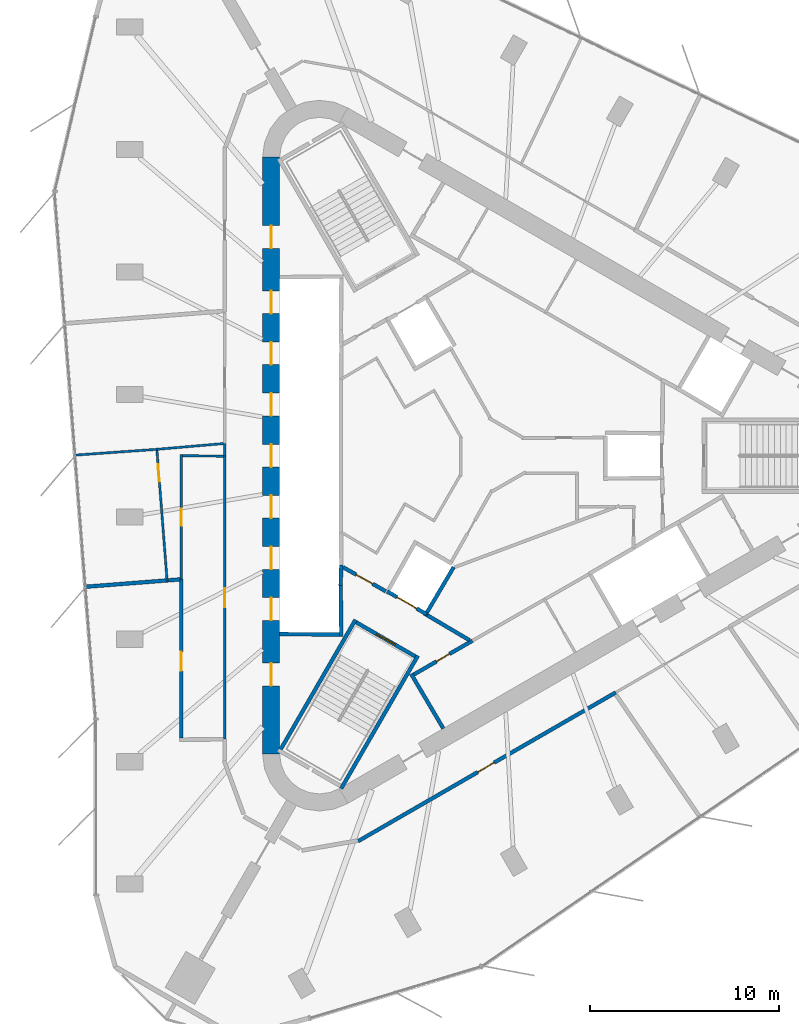
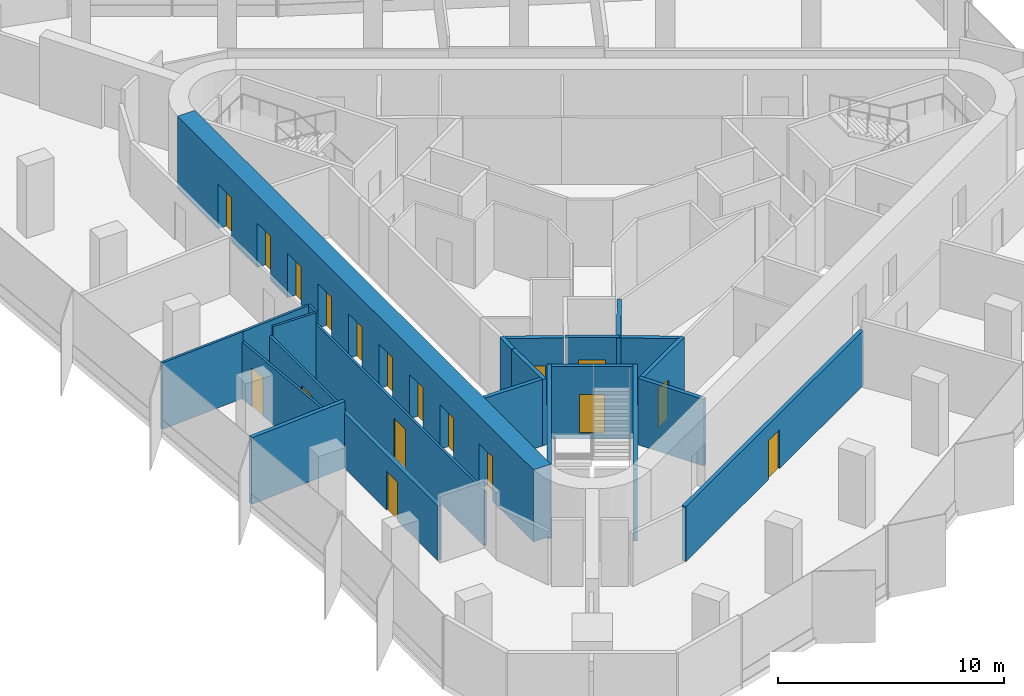
# One storey, part 7 of 12: 23 walls, 18 doors, 18 openings.
"""IFC4 building model written with IfcOpenShell, lengths in metres."""

from ifc_helpers import new_model, si_unit, direction, frame, frame_2d, origin, place, context, subcontext, project, spatial, rectangle, extrude, material, layer, layer_set, type_object, element, fill, save


model = new_model("IFC4")

# Units and contexts
model_context = context("Model", 3, precision=1e-05, world=origin(), true_north=direction((0.0, 1.0)))
body_context = subcontext(model_context, "Body", "Model", "MODEL_VIEW")
ifc_project = project(units=[si_unit("LENGTHUNIT", "METRE"), si_unit("AREAUNIT", "SQUARE_METRE"), si_unit("VOLUMEUNIT", "CUBIC_METRE"), si_unit("PLANEANGLEUNIT", "RADIAN"), si_unit("MASSUNIT", "GRAM", prefix="KILO")], contexts=[model_context])

# Site, building, storey
site_placement = place(None, origin())
site = spatial("IfcSite", under=ifc_project, at=site_placement, CompositionType="ELEMENT")
building_placement = place(site_placement, origin())
building = spatial("IfcBuilding", under=site, at=building_placement, Name="Tanit Gate Tower", CompositionType="ELEMENT")
storey_placement = place(building_placement, frame((0.0, 0.0, 376.699951171875)))
storey = spatial("IfcBuildingStorey", under=building, at=storey_placement, Name="L86", CompositionType="ELEMENT", Elevation=376.699951171875)

# Wall, openings, doors
ifc_material_1 = material(Name="Concrete C40/50", Category="concrete")
ifc_layer_1 = layer(ifc_material_1, 0.89990234375)
ifc_layer_set_1 = layer_set([ifc_layer_1], Name="CORE WALL 900 C40/50")
wall_type_1 = type_object("IfcWallType", Name="CORE WALL 900 C40/50", PredefinedType="SHEAR", material=ifc_layer_set_1)
wall_1_placement = place(storey_placement, frame((-11.64990234375, 15.76171875, 0.0), z_axis=(0.0, 0.0, 1.0), x_axis=(0.0, -1.0, 0.0)))
wall_1 = element("IfcWall", 1, at=wall_1_placement, inside=storey, type_object=wall_type_1, Name="CORE WALL", PredefinedType="SHEAR", context=body_context, shape_type="SweptSolid", body=[
    extrude(rectangle(XDim=31.5234375, YDim=0.89990234375, at=frame_2d((15.76171875, 0.0))), origin(), (0.0, 0.0, 1.0), 3.900146484375),
])
opening_1_placement = place(wall_1_placement, frame((7.061767578125, 0.0, 0.0)))
opening_1 = element("IfcOpeningElement", 2, at=opening_1_placement, cuts=wall_1, Name="Opening LDHL1-86", PredefinedType="OPENING", context=body_context, shape_type="SweptSolid", body=[
    extrude(rectangle(XDim=1.199951171875, YDim=2.39990234375, at=frame_2d((0.60009765625, 1.199951171875))), frame((0.0, 0.4599609375, 0.0), z_axis=(0.0, -1.0, 0.0), x_axis=(1.0, 0.0, 0.0)), (0.0, 0.0, 1.0), 0.919921875),
])
opening_2_placement = place(wall_1_placement, frame((9.76171875, 0.0, 0.0)))
opening_2 = element("IfcOpeningElement", 3, at=opening_2_placement, cuts=wall_1, Name="Opening LDHL2-86", PredefinedType="OPENING", context=body_context, shape_type="SweptSolid", body=[
    extrude(rectangle(XDim=1.199951171875, YDim=2.39990234375, at=frame_2d((0.60009765625, 1.199951171875))), frame((0.0, 0.4599609375, 0.0), z_axis=(0.0, -1.0, 0.0), x_axis=(1.0, 0.0, 0.0)), (0.0, 0.0, 1.0), 0.919921875),
])
opening_3_placement = place(wall_1_placement, frame((12.461669921875, 0.0, 0.0)))
opening_3 = element("IfcOpeningElement", 4, at=opening_3_placement, cuts=wall_1, Name="Opening LDHL3-86", PredefinedType="OPENING", context=body_context, shape_type="SweptSolid", body=[
    extrude(rectangle(XDim=1.199951171875, YDim=2.39990234375, at=frame_2d((0.60009765625, 1.199951171875))), frame((0.0, 0.4599609375, 0.0), z_axis=(0.0, -1.0, 0.0), x_axis=(1.0, 0.0, 0.0)), (0.0, 0.0, 1.0), 0.919921875),
])
opening_4_placement = place(wall_1_placement, frame((15.16162109375, 0.0, 0.0)))
opening_4 = element("IfcOpeningElement", 5, at=opening_4_placement, cuts=wall_1, Name="Opening LDHL4-86", PredefinedType="OPENING", context=body_context, shape_type="SweptSolid", body=[
    extrude(rectangle(XDim=1.199951171875, YDim=2.39990234375, at=frame_2d((0.60009765625, 1.199951171875))), frame((0.0, 0.4599609375, 0.0), z_axis=(0.0, -1.0, 0.0), x_axis=(1.0, 0.0, 0.0)), (0.0, 0.0, 1.0), 0.919921875),
])
opening_5_placement = place(wall_1_placement, frame((17.86181640625, 0.0, 0.0)))
opening_5 = element("IfcOpeningElement", 6, at=opening_5_placement, cuts=wall_1, Name="Opening LDHL5-86", PredefinedType="OPENING", context=body_context, shape_type="SweptSolid", body=[
    extrude(rectangle(XDim=1.199951171875, YDim=2.39990234375, at=frame_2d((0.60009765625, 1.199951171875))), frame((0.0, 0.4599609375, 0.0), z_axis=(0.0, -1.0, 0.0), x_axis=(1.0, 0.0, 0.0)), (0.0, 0.0, 1.0), 0.919921875),
])
opening_6_placement = place(wall_1_placement, frame((20.561767578125, 0.0, 0.0)))
opening_6 = element("IfcOpeningElement", 7, at=opening_6_placement, cuts=wall_1, Name="Opening LDHL6-86", PredefinedType="OPENING", context=body_context, shape_type="SweptSolid", body=[
    extrude(rectangle(XDim=1.199951171875, YDim=2.39990234375, at=frame_2d((0.60009765625, 1.199951171875))), frame((0.0, 0.4599609375, 0.0), z_axis=(0.0, -1.0, 0.0), x_axis=(1.0, 0.0, 0.0)), (0.0, 0.0, 1.0), 0.919921875),
])
opening_7_placement = place(wall_1_placement, frame((23.26171875, 0.0, 0.0)))
opening_7 = element("IfcOpeningElement", 8, at=opening_7_placement, cuts=wall_1, Name="Opening LDHL7-86", PredefinedType="OPENING", context=body_context, shape_type="SweptSolid", body=[
    extrude(rectangle(XDim=1.199951171875, YDim=2.39990234375, at=frame_2d((0.60009765625, 1.199951171875))), frame((0.0, 0.4599609375, 0.0), z_axis=(0.0, -1.0, 0.0), x_axis=(1.0, 0.0, 0.0)), (0.0, 0.0, 1.0), 0.919921875),
])
opening_8_placement = place(wall_1_placement, frame((3.61181640625, 0.0, 0.0)))
opening_8 = element("IfcOpeningElement", 9, at=opening_8_placement, cuts=wall_1, Name="Opening F12-86-FL2", PredefinedType="OPENING", context=body_context, shape_type="SweptSolid", body=[
    extrude(rectangle(XDim=1.199951171875, YDim=2.39990234375, at=frame_2d((0.60009765625, 1.199951171875))), frame((0.0, 0.4599609375, 0.0), z_axis=(0.0, -1.0, 0.0), x_axis=(1.0, 0.0, 0.0)), (0.0, 0.0, 1.0), 0.919921875),
])
opening_9_placement = place(wall_1_placement, frame((26.711669921875, 0.0, 0.0)))
opening_9 = element("IfcOpeningElement", 10, at=opening_9_placement, cuts=wall_1, Name="Opening F12-86-S3", PredefinedType="OPENING", context=body_context, shape_type="SweptSolid", body=[
    extrude(rectangle(XDim=1.199951171875, YDim=2.39990234375, at=frame_2d((0.60009765625, 1.199951171875))), frame((0.0, 0.4599609375, 0.0), z_axis=(0.0, -1.0, 0.0), x_axis=(1.0, 0.0, 0.0)), (0.0, 0.0, 1.0), 0.919921875),
])
ifc_material_2 = material(Name="Fire-rated steel door leaf", Category="steel")
door_type_1 = type_object("IfcDoorType", Name="INT-DOOR-FIRE-LOBBY-1200", OperationType="NOTDEFINED", PredefinedType="USERDEFINED", material=ifc_material_2)
door_1_placement = place(opening_8_placement, origin())
door_1 = element("IfcDoor", 11, at=door_1_placement, inside=storey, type_object=door_type_1, Name="Door F12-86-FL2", ObjectType="FIRE DOOR", OperationType="SINGLE_SWING_RIGHT", OverallHeight=2.39990234375, OverallWidth=1.199951171875, PredefinedType="USERDEFINED", context=body_context, shape_type="SweptSolid", body=[
    extrude(rectangle(XDim=1.199951171875, YDim=2.39990234375, at=frame_2d((0.60009765625, 1.199951171875))), frame((0.0, 0.02490234375, 0.0), z_axis=(0.0, -1.0, 0.0), x_axis=(1.0, 0.0, 0.0)), (0.0, 0.0, 1.0), 0.050048828125),
])
fill(opening_8, door_1)
door_2_placement = place(opening_9_placement, origin())
door_2 = element("IfcDoor", 12, at=door_2_placement, inside=storey, type_object=door_type_1, Name="Door F12-86-S3", ObjectType="FIRE DOOR", OperationType="SINGLE_SWING_LEFT", OverallHeight=2.39990234375, OverallWidth=1.199951171875, PredefinedType="USERDEFINED", context=body_context, shape_type="SweptSolid", body=[
    extrude(rectangle(XDim=1.199951171875, YDim=2.39990234375, at=frame_2d((0.60009765625, 1.199951171875))), frame((0.0, 0.02490234375, 0.0), z_axis=(0.0, -1.0, 0.0), x_axis=(1.0, 0.0, 0.0)), (0.0, 0.0, 1.0), 0.050048828125),
])
fill(opening_9, door_2)
ifc_material_3 = material(Name="Stainless steel sliding door leaf", Category="steel")
door_type_2 = type_object("IfcDoorType", Name="INT-DOOR-LANDING-1200", OperationType="NOTDEFINED", PredefinedType="USERDEFINED", material=ifc_material_3)
door_3_placement = place(opening_1_placement, origin())
door_3 = element("IfcDoor", 13, at=door_3_placement, inside=storey, type_object=door_type_2, Name="Door LDHL1-86", ObjectType="LANDING DOOR", OperationType="SLIDING_TO_LEFT", OverallHeight=2.39990234375, OverallWidth=1.199951171875, PredefinedType="USERDEFINED", context=body_context, shape_type="SweptSolid", body=[
    extrude(rectangle(XDim=1.199951171875, YDim=2.39990234375, at=frame_2d((0.60009765625, 1.199951171875))), frame((0.0, 0.02490234375, 0.0), z_axis=(0.0, -1.0, 0.0), x_axis=(1.0, 0.0, 0.0)), (0.0, 0.0, 1.0), 0.050048828125),
])
fill(opening_1, door_3)
door_4_placement = place(opening_2_placement, origin())
door_4 = element("IfcDoor", 14, at=door_4_placement, inside=storey, type_object=door_type_2, Name="Door LDHL2-86", ObjectType="LANDING DOOR", OperationType="SLIDING_TO_LEFT", OverallHeight=2.39990234375, OverallWidth=1.199951171875, PredefinedType="USERDEFINED", context=body_context, shape_type="SweptSolid", body=[
    extrude(rectangle(XDim=1.199951171875, YDim=2.39990234375, at=frame_2d((0.60009765625, 1.199951171875))), frame((0.0, 0.02490234375, 0.0), z_axis=(0.0, -1.0, 0.0), x_axis=(1.0, 0.0, 0.0)), (0.0, 0.0, 1.0), 0.050048828125),
])
fill(opening_2, door_4)
door_5_placement = place(opening_3_placement, origin())
door_5 = element("IfcDoor", 15, at=door_5_placement, inside=storey, type_object=door_type_2, Name="Door LDHL3-86", ObjectType="LANDING DOOR", OperationType="SLIDING_TO_LEFT", OverallHeight=2.39990234375, OverallWidth=1.199951171875, PredefinedType="USERDEFINED", context=body_context, shape_type="SweptSolid", body=[
    extrude(rectangle(XDim=1.199951171875, YDim=2.39990234375, at=frame_2d((0.60009765625, 1.199951171875))), frame((0.0, 0.02490234375, 0.0), z_axis=(0.0, -1.0, 0.0), x_axis=(1.0, 0.0, 0.0)), (0.0, 0.0, 1.0), 0.050048828125),
])
fill(opening_3, door_5)
door_6_placement = place(opening_4_placement, origin())
door_6 = element("IfcDoor", 16, at=door_6_placement, inside=storey, type_object=door_type_2, Name="Door LDHL4-86", ObjectType="LANDING DOOR", OperationType="SLIDING_TO_LEFT", OverallHeight=2.39990234375, OverallWidth=1.199951171875, PredefinedType="USERDEFINED", context=body_context, shape_type="SweptSolid", body=[
    extrude(rectangle(XDim=1.199951171875, YDim=2.39990234375, at=frame_2d((0.60009765625, 1.199951171875))), frame((0.0, 0.02490234375, 0.0), z_axis=(0.0, -1.0, 0.0), x_axis=(1.0, 0.0, 0.0)), (0.0, 0.0, 1.0), 0.050048828125),
])
fill(opening_4, door_6)
door_7_placement = place(opening_5_placement, origin())
door_7 = element("IfcDoor", 17, at=door_7_placement, inside=storey, type_object=door_type_2, Name="Door LDHL5-86", ObjectType="LANDING DOOR", OperationType="SLIDING_TO_LEFT", OverallHeight=2.39990234375, OverallWidth=1.199951171875, PredefinedType="USERDEFINED", context=body_context, shape_type="SweptSolid", body=[
    extrude(rectangle(XDim=1.199951171875, YDim=2.39990234375, at=frame_2d((0.60009765625, 1.199951171875))), frame((0.0, 0.02490234375, 0.0), z_axis=(0.0, -1.0, 0.0), x_axis=(1.0, 0.0, 0.0)), (0.0, 0.0, 1.0), 0.050048828125),
])
fill(opening_5, door_7)
door_8_placement = place(opening_6_placement, origin())
door_8 = element("IfcDoor", 18, at=door_8_placement, inside=storey, type_object=door_type_2, Name="Door LDHL6-86", ObjectType="LANDING DOOR", OperationType="SLIDING_TO_LEFT", OverallHeight=2.39990234375, OverallWidth=1.199951171875, PredefinedType="USERDEFINED", context=body_context, shape_type="SweptSolid", body=[
    extrude(rectangle(XDim=1.199951171875, YDim=2.39990234375, at=frame_2d((0.60009765625, 1.199951171875))), frame((0.0, 0.02490234375, 0.0), z_axis=(0.0, -1.0, 0.0), x_axis=(1.0, 0.0, 0.0)), (0.0, 0.0, 1.0), 0.050048828125),
])
fill(opening_6, door_8)
door_9_placement = place(opening_7_placement, origin())
door_9 = element("IfcDoor", 19, at=door_9_placement, inside=storey, type_object=door_type_2, Name="Door LDHL7-86", ObjectType="LANDING DOOR", OperationType="SLIDING_TO_LEFT", OverallHeight=2.39990234375, OverallWidth=1.199951171875, PredefinedType="USERDEFINED", context=body_context, shape_type="SweptSolid", body=[
    extrude(rectangle(XDim=1.199951171875, YDim=2.39990234375, at=frame_2d((0.60009765625, 1.199951171875))), frame((0.0, 0.02490234375, 0.0), z_axis=(0.0, -1.0, 0.0), x_axis=(1.0, 0.0, 0.0)), (0.0, 0.0, 1.0), 0.050048828125),
])
fill(opening_7, door_9)

# Wall
ifc_material_4 = material(Name="Fire-rated gypsum board partition")
ifc_layer_2 = layer(ifc_material_4, 0.199951171875)
ifc_layer_set_2 = layer_set([ifc_layer_2], Name="INT-WALL-COMPARTMENT")
wall_type_2 = type_object("IfcWallType", Name="INT-WALL-COMPARTMENT", PredefinedType="PARTITIONING", material=ifc_layer_set_2)
wall_2_placement = place(storey_placement, frame((-4.259765625, -11.523681640625, 0.0), z_axis=(0.0, 0.0, 1.0), x_axis=(0.507997497166, -0.861358544901, 0.0)))
element("IfcWall", 20, at=wall_2_placement, inside=storey, type_object=wall_type_2, Name="Wall Compartment W056", PredefinedType="PARTITIONING", context=body_context, shape_type="SweptSolid", body=[
    extrude(rectangle(XDim=3.350341796875, YDim=0.199951171875, at=frame_2d((1.67529296875, 0.0))), origin(), (0.0, 0.0, 1.0), 3.60009765625),
])

# Wall, opening, door
wall_3_placement = place(storey_placement, frame((-1.02392578125, -9.77099609375, 0.0), z_axis=(0.0, 0.0, 1.0), x_axis=(-0.866029903013, -0.499992207027, 0.0)))
wall_3 = element("IfcWall", 21, at=wall_3_placement, inside=storey, type_object=wall_type_2, Name="Wall Compartment W057", PredefinedType="PARTITIONING", context=body_context, shape_type="SweptSolid", body=[
    extrude(rectangle(XDim=3.57763671875, YDim=0.199951171875, at=frame_2d((1.788818359375, 0.0))), origin(), (0.0, 0.0, 1.0), 3.60009765625),
])
opening_10_placement = place(wall_3_placement, frame((1.388916015625, 0.0, 0.0)))
opening_10 = element("IfcOpeningElement", 22, at=opening_10_placement, cuts=wall_3, Name="Opening R08-86-17", PredefinedType="OPENING", context=body_context, shape_type="SweptSolid", body=[
    extrude(rectangle(XDim=0.800048828125, YDim=2.10009765625, at=frame_2d((0.39990234375, 1.050048828125))), frame((0.0, 0.10986328125, 0.0), z_axis=(0.0, -1.0, 0.0), x_axis=(1.0, 0.0, 0.0)), (0.0, 0.0, 1.0), 0.219970703125),
])
ifc_material_5 = material(Name="Timber door leaf", Category="wood")
door_type_3 = type_object("IfcDoorType", Name="INT-DOOR-RISER-800", OperationType="NOTDEFINED", PredefinedType="USERDEFINED", material=ifc_material_5)
door_10_placement = place(opening_10_placement, origin())
door_10 = element("IfcDoor", 23, at=door_10_placement, inside=storey, type_object=door_type_3, Name="Door R08-86-17", ObjectType="FIRE DOOR", OperationType="SINGLE_SWING_LEFT", OverallHeight=2.10009765625, OverallWidth=0.800048828125, PredefinedType="USERDEFINED", context=body_context, shape_type="SweptSolid", body=[
    extrude(rectangle(XDim=0.800048828125, YDim=2.10009765625, at=frame_2d((0.39990234375, 1.050048828125))), frame((0.0, 0.02490234375, 0.0), z_axis=(0.0, -1.0, 0.0), x_axis=(1.0, 0.0, 0.0)), (0.0, 0.0, 1.0), 0.050048828125),
])
fill(opening_10, door_10)

# Wall
wall_4_placement = place(storey_placement, frame((-3.400634765625, -8.43017578125, 0.0), z_axis=(0.0, 0.0, 1.0), x_axis=(0.860630814782, -0.509229418482, 0.0)))
element("IfcWall", 24, at=wall_4_placement, inside=storey, type_object=wall_type_2, Name="Wall Compartment W066", PredefinedType="PARTITIONING", context=body_context, shape_type="SweptSolid", body=[
    extrude(rectangle(XDim=2.581787109375, YDim=0.199951171875, at=frame_2d((1.291015625, 0.0))), origin(), (0.0, 0.0, 1.0), 3.60009765625),
])

# Wall, opening, door
wall_5_placement = place(storey_placement, frame((-7.849365234375, -5.893798828125, 0.0), z_axis=(0.0, 0.0, 1.0), x_axis=(0.871363259478, -0.490638431059, 0.0)))
wall_5 = element("IfcWall", 25, at=wall_5_placement, inside=storey, type_object=wall_type_2, Name="Wall Compartment W067", PredefinedType="PARTITIONING", context=body_context, shape_type="SweptSolid", body=[
    extrude(rectangle(XDim=2.5810546875, YDim=0.199951171875, at=frame_2d((1.29052734375, 0.0))), origin(), (0.0, 0.0, 1.0), 3.60009765625),
])
opening_11_placement = place(wall_5_placement, frame((0.79052734375, 0.0, 0.0)))
opening_11 = element("IfcOpeningElement", 26, at=opening_11_placement, cuts=wall_5, Name="Opening F10-86-08", PredefinedType="OPENING", context=body_context, shape_type="SweptSolid", body=[
    extrude(rectangle(XDim=1.0, YDim=2.10009765625, at=frame_2d((0.5, 1.050048828125))), frame((0.0, 0.10986328125, 0.0), z_axis=(0.0, -1.0, 0.0), x_axis=(1.0, 0.0, 0.0)), (0.0, 0.0, 1.0), 0.219970703125),
])
ifc_material_6 = material(Name="Fire-rated steel door leaf", Category="steel")
door_type_4 = type_object("IfcDoorType", Name="INT-DOOR-FIRE-1000", OperationType="NOTDEFINED", PredefinedType="USERDEFINED", material=ifc_material_6)
door_11_placement = place(opening_11_placement, origin())
door_11 = element("IfcDoor", 27, at=door_11_placement, inside=storey, type_object=door_type_4, Name="Door F10-86-08", ObjectType="FIRE DOOR", OperationType="SINGLE_SWING_RIGHT", OverallHeight=2.10009765625, OverallWidth=1.0, PredefinedType="USERDEFINED", context=body_context, shape_type="SweptSolid", body=[
    extrude(rectangle(XDim=1.0, YDim=2.10009765625, at=frame_2d((0.5, 1.050048828125))), frame((0.0, 0.02490234375, 0.0), z_axis=(0.0, -1.0, 0.0), x_axis=(1.0, 0.0, 0.0)), (0.0, 0.0, 1.0), 0.050048828125),
])
fill(opening_11, door_11)

wall_6_placement = place(storey_placement, frame((-16.39990234375, -6.505859375, 0.0), z_axis=(0.0, 0.0, 1.0), x_axis=(0.0, -1.0, 0.0)))
wall_6 = element("IfcWall", 28, at=wall_6_placement, inside=storey, type_object=wall_type_2, Name="Wall Compartment W100", PredefinedType="PARTITIONING", context=body_context, shape_type="SweptSolid", body=[
    extrude(rectangle(XDim=8.39404296875, YDim=0.199951171875, at=frame_2d((4.197021484375, 0.0))), origin(), (0.0, 0.0, 1.0), 2.969970703125),
])
opening_12_placement = place(wall_6_placement, frame((3.856201171875, 0.0, 0.0)))
opening_12 = element("IfcOpeningElement", 29, at=opening_12_placement, cuts=wall_6, Name="Opening F10-86-23", PredefinedType="OPENING", context=body_context, shape_type="SweptSolid", body=[
    extrude(rectangle(XDim=1.0, YDim=2.10009765625, at=frame_2d((0.5, 1.050048828125))), frame((0.0, 0.10986328125, 0.0), z_axis=(0.0, -1.0, 0.0), x_axis=(1.0, 0.0, 0.0)), (0.0, 0.0, 1.0), 0.219970703125),
])
door_12_placement = place(opening_12_placement, origin())
door_12 = element("IfcDoor", 30, at=door_12_placement, inside=storey, type_object=door_type_4, Name="Door F10-86-23", ObjectType="FIRE DOOR", OperationType="SINGLE_SWING_RIGHT", OverallHeight=2.10009765625, OverallWidth=1.0, PredefinedType="USERDEFINED", context=body_context, shape_type="SweptSolid", body=[
    extrude(rectangle(XDim=1.0, YDim=2.10009765625, at=frame_2d((0.5, 1.050048828125))), frame((0.0, 0.02490234375, 0.0), z_axis=(0.0, -1.0, 0.0), x_axis=(1.0, 0.0, 0.0)), (0.0, 0.0, 1.0), 0.050048828125),
])
fill(opening_12, door_12)

# Wall
wall_7_placement = place(storey_placement, frame((-16.4599609375, -6.534423828125, 0.0), z_axis=(0.0, 0.0, 1.0), x_axis=(-0.996977242941, -0.077694124987, 0.0)))
element("IfcWall", 31, at=wall_7_placement, inside=storey, type_object=wall_type_2, Name="Wall Compartment W108", PredefinedType="PARTITIONING", context=body_context, shape_type="SweptSolid", body=[
    extrude(rectangle(XDim=5.01513671875, YDim=0.199951171875, at=frame_2d((2.507568359375, 0.0))), origin(), (0.0, 0.0, 1.0), 3.60009765625),
])

# Wall, opening, door
wall_8_placement = place(storey_placement, frame((-7.060791015625, -20.35791015625, 0.0), z_axis=(0.0, 0.0, 1.0), x_axis=(0.86602643434, 0.499998215021, 0.0)))
wall_8 = element("IfcWall", 32, at=wall_8_placement, inside=storey, type_object=wall_type_2, Name="Wall Compartment W120", PredefinedType="PARTITIONING", context=body_context, shape_type="SweptSolid", body=[
    extrude(rectangle(XDim=15.71044921875, YDim=0.199951171875, at=frame_2d((7.855224609375, 0.0))), origin(), (0.0, 0.0, 1.0), 2.969970703125),
])
opening_13_placement = place(wall_8_placement, frame((7.300048828125, 0.0, 0.0)))
opening_13 = element("IfcOpeningElement", 33, at=opening_13_placement, cuts=wall_8, Name="Opening F10-86-27", PredefinedType="OPENING", context=body_context, shape_type="SweptSolid", body=[
    extrude(rectangle(XDim=1.0, YDim=2.10009765625, at=frame_2d((0.5, 1.050048828125))), frame((0.0, 0.10986328125, 0.0), z_axis=(0.0, -1.0, 0.0), x_axis=(1.0, 0.0, 0.0)), (0.0, 0.0, 1.0), 0.219970703125),
])
door_13_placement = place(opening_13_placement, origin())
door_13 = element("IfcDoor", 34, at=door_13_placement, inside=storey, type_object=door_type_4, Name="Door F10-86-27", ObjectType="FIRE DOOR", OperationType="SINGLE_SWING_LEFT", OverallHeight=2.10009765625, OverallWidth=1.0, PredefinedType="USERDEFINED", context=body_context, shape_type="SweptSolid", body=[
    extrude(rectangle(XDim=1.0, YDim=2.10009765625, at=frame_2d((0.5, 1.050048828125))), frame((0.0, 0.02490234375, 0.0), z_axis=(0.0, -1.0, 0.0), x_axis=(1.0, 0.0, 0.0)), (0.0, 0.0, 1.0), 0.050048828125),
])
fill(opening_13, door_13)

# Wall
ifc_material_7 = material(Name="Gypsum board partition")
ifc_layer_3 = layer(ifc_material_7, 0.1201171875)
ifc_layer_set_3 = layer_set([ifc_layer_3], Name="INT-WALL-PARTITION")
wall_type_3 = type_object("IfcWallType", Name="INT-WALL-PARTITION", PredefinedType="PARTITIONING", material=ifc_layer_set_3)
wall_9_placement = place(storey_placement, frame((-14.10009765625, 0.64599609375, 0.0), z_axis=(0.0, 0.0, 1.0), x_axis=(0.0, -1.0, 0.0)))
element("IfcWall", 35, at=wall_9_placement, inside=storey, type_object=wall_type_3, Name="Wall Partition W093", PredefinedType="PARTITIONING", context=body_context, shape_type="SweptSolid", body=[
    extrude(rectangle(XDim=0.676025390625, YDim=0.1201171875, at=frame_2d((0.337890625, 0.0))), origin(), (0.0, 0.0, 1.0), 3.60009765625),
])

# Wall, opening, door
wall_10_placement = place(storey_placement, frame((-14.10009765625, -0.030029296875, 0.0), z_axis=(0.0, 0.0, 1.0), x_axis=(0.0, -1.0, 0.0)))
wall_10 = element("IfcWall", 36, at=wall_10_placement, inside=storey, type_object=wall_type_3, Name="Wall Partition W088", PredefinedType="PARTITIONING", context=body_context, shape_type="SweptSolid", body=[
    extrude(rectangle(XDim=14.919921875, YDim=0.1201171875, at=frame_2d((7.4599609375, 0.0))), origin(), (0.0, 0.0, 1.0), 2.969970703125),
])
opening_14_placement = place(wall_10_placement, frame((6.969970703125, 0.0, 0.0)))
opening_14 = element("IfcOpeningElement", 37, at=opening_14_placement, cuts=wall_10, Name="Opening D10-86-30", PredefinedType="OPENING", context=body_context, shape_type="SweptSolid", body=[
    extrude(rectangle(XDim=1.0, YDim=2.10009765625, at=frame_2d((0.5, 1.050048828125))), frame((0.0, 0.070068359375, 0.0), z_axis=(0.0, -1.0, 0.0), x_axis=(1.0, 0.0, 0.0)), (0.0, 0.0, 1.0), 0.14013671875),
])
ifc_material_8 = material(Name="Timber door leaf", Category="wood")
door_type_5 = type_object("IfcDoorType", Name="INT-DOOR-SINGLE-1000", OperationType="NOTDEFINED", PredefinedType="NOTDEFINED", material=ifc_material_8)
door_14_placement = place(opening_14_placement, origin())
door_14 = element("IfcDoor", 38, at=door_14_placement, inside=storey, type_object=door_type_5, Name="Door D10-86-30", OperationType="SINGLE_SWING_LEFT", OverallHeight=2.10009765625, OverallWidth=1.0, PredefinedType="NOTDEFINED", context=body_context, shape_type="SweptSolid", body=[
    extrude(rectangle(XDim=1.0, YDim=2.10009765625, at=frame_2d((0.5, 1.050048828125))), frame((0.0, 0.02490234375, 0.0), z_axis=(0.0, -1.0, 0.0), x_axis=(1.0, 0.0, 0.0)), (0.0, 0.0, 1.0), 0.050048828125),
])
fill(opening_14, door_14)

wall_11_placement = place(storey_placement, frame((-16.39990234375, 0.06005859375, 0.0), z_axis=(0.0, 0.0, 1.0), x_axis=(0.0, -1.0, 0.0)))
wall_11 = element("IfcWall", 39, at=wall_11_placement, inside=storey, type_object=wall_type_3, Name="Wall Partition W097", PredefinedType="PARTITIONING", context=body_context, shape_type="SweptSolid", body=[
    extrude(rectangle(XDim=6.56591796875, YDim=0.1201171875, at=frame_2d((3.282958984375, 0.0))), origin(), (0.0, 0.0, 1.0), 3.070068359375),
])
opening_15_placement = place(wall_11_placement, frame((2.860107421875, 0.0, 0.0)))
opening_15 = element("IfcOpeningElement", 40, at=opening_15_placement, cuts=wall_11, Name="Opening D09-86-22", PredefinedType="OPENING", context=body_context, shape_type="SweptSolid", body=[
    extrude(rectangle(XDim=0.89990234375, YDim=2.10009765625, at=frame_2d((0.449951171875, 1.050048828125))), frame((0.0, 0.070068359375, 0.0), z_axis=(0.0, -1.0, 0.0), x_axis=(1.0, 0.0, 0.0)), (0.0, 0.0, 1.0), 0.14013671875),
])
ifc_material_9 = material(Name="Timber door leaf", Category="wood")
door_type_6 = type_object("IfcDoorType", Name="INT-DOOR-SINGLE-900", OperationType="NOTDEFINED", PredefinedType="NOTDEFINED", material=ifc_material_9)
door_15_placement = place(opening_15_placement, origin())
door_15 = element("IfcDoor", 41, at=door_15_placement, inside=storey, type_object=door_type_6, Name="Door D09-86-22", OperationType="SINGLE_SWING_LEFT", OverallHeight=2.10009765625, OverallWidth=0.89990234375, PredefinedType="NOTDEFINED", context=body_context, shape_type="SweptSolid", body=[
    extrude(rectangle(XDim=0.89990234375, YDim=2.10009765625, at=frame_2d((0.449951171875, 1.050048828125))), frame((0.0, 0.02490234375, 0.0), z_axis=(0.0, -1.0, 0.0), x_axis=(1.0, 0.0, 0.0)), (0.0, 0.0, 1.0), 0.050048828125),
])
fill(opening_15, door_15)

# Walls
wall_12_placement = place(storey_placement, frame((-14.159912109375, -0.029296875, 0.0), z_axis=(0.0, 0.0, 1.0), x_axis=(-0.999914181108, 0.013100779305, 0.0)))
element("IfcWall", 42, at=wall_12_placement, inside=storey, type_object=wall_type_3, Name="Wall Partition W098", PredefinedType="PARTITIONING", context=body_context, shape_type="SweptSolid", body=[
    extrude(rectangle(XDim=2.180419921875, YDim=0.1201171875, at=frame_2d((1.09033203125, 0.0))), origin(), (0.0, 0.0, 1.0), 3.60009765625),
])
wall_13_placement = place(storey_placement, frame((-22.001708984375, 0.027587890625, 0.0), z_axis=(0.0, 0.0, 1.0), x_axis=(0.997482980602, 0.07090630021, 0.0)))
element("IfcWall", 43, at=wall_13_placement, inside=storey, type_object=wall_type_3, Name="Wall Partition W104", PredefinedType="PARTITIONING", context=body_context, shape_type="SweptSolid", body=[
    extrude(rectangle(XDim=4.328125, YDim=0.1201171875, at=frame_2d((2.1640625, 0.0))), origin(), (0.0, 0.0, 1.0), 3.60009765625),
])
wall_14_placement = place(storey_placement, frame((-17.6845703125, 0.333984375, 0.0), z_axis=(0.0, 0.0, 1.0), x_axis=(0.996296313542, 0.085986368821, 0.0)))
element("IfcWall", 44, at=wall_14_placement, inside=storey, type_object=wall_type_3, Name="Wall Partition W105", PredefinedType="PARTITIONING", context=body_context, shape_type="SweptSolid", body=[
    extrude(rectangle(XDim=3.537841796875, YDim=0.1201171875, at=frame_2d((1.76904296875, 0.0))), origin(), (0.0, 0.0, 1.0), 3.60009765625),
])

# Wall, opening, door
wall_15_placement = place(storey_placement, frame((-17.142822265625, -6.61767578125, 0.0), z_axis=(0.0, 0.0, 1.0), x_axis=(-0.077698437602, 0.996976906851, 0.0)))
wall_15 = element("IfcWall", 45, at=wall_15_placement, inside=storey, type_object=wall_type_3, Name="Wall Partition W106", PredefinedType="PARTITIONING", context=body_context, shape_type="SweptSolid", body=[
    extrude(rectangle(XDim=6.912841796875, YDim=0.1201171875, at=frame_2d((3.45654296875, 0.0))), origin(), (0.0, 0.0, 1.0), 3.070068359375),
])
opening_16_placement = place(wall_15_placement, frame((5.272705078125, 0.0, 0.0)))
opening_16 = element("IfcOpeningElement", 46, at=opening_16_placement, cuts=wall_15, Name="Opening D09-86-31", PredefinedType="OPENING", context=body_context, shape_type="SweptSolid", body=[
    extrude(rectangle(XDim=0.89990234375, YDim=2.10009765625, at=frame_2d((0.449951171875, 1.050048828125))), frame((0.0, 0.070068359375, 0.0), z_axis=(0.0, -1.0, 0.0), x_axis=(1.0, 0.0, 0.0)), (0.0, 0.0, 1.0), 0.14013671875),
])
door_16_placement = place(opening_16_placement, origin())
door_16 = element("IfcDoor", 47, at=door_16_placement, inside=storey, type_object=door_type_6, Name="Door D09-86-31", OperationType="SINGLE_SWING_RIGHT", OverallHeight=2.10009765625, OverallWidth=0.89990234375, PredefinedType="NOTDEFINED", context=body_context, shape_type="SweptSolid", body=[
    extrude(rectangle(XDim=0.89990234375, YDim=2.10009765625, at=frame_2d((0.449951171875, 1.050048828125))), frame((0.0, 0.02490234375, 0.0), z_axis=(0.0, -1.0, 0.0), x_axis=(1.0, 0.0, 0.0)), (0.0, 0.0, 1.0), 0.050048828125),
])
fill(opening_16, door_16)

# Walls
ifc_material_10 = material(Name="Gypsum shaft wall system")
ifc_layer_4 = layer(ifc_material_10, 0.199951171875)
ifc_layer_set_4 = layer_set([ifc_layer_4], Name="INT-WALL-SHAFT")
wall_type_4 = type_object("IfcWallType", Name="INT-WALL-SHAFT", PredefinedType="PLUMBINGWALL", material=ifc_layer_set_4)
wall_16_placement = place(storey_placement, frame((-7.949951171875, -5.7724609375, 0.0), z_axis=(0.0, 0.0, 1.0), x_axis=(-0.030803413295, -0.999525462272, 0.0)))
element("IfcWall", 48, at=wall_16_placement, inside=storey, type_object=wall_type_4, Name="Wall Shaft W008", PredefinedType="PLUMBINGWALL", context=body_context, shape_type="SweptSolid", body=[
    extrude(rectangle(XDim=1.077880859375, YDim=0.199951171875, at=frame_2d((0.5390625, 0.0))), origin(), (0.0, 0.0, 1.0), 3.60009765625),
])
wall_17_placement = place(storey_placement, frame((-7.97900390625, -6.85009765625, 0.0), z_axis=(0.0, 0.0, 1.0), x_axis=(0.011121475088, -0.999938154483, 0.0)))
element("IfcWall", 49, at=wall_17_placement, inside=storey, type_object=wall_type_4, Name="Wall Shaft W010", PredefinedType="PLUMBINGWALL", context=body_context, shape_type="SweptSolid", body=[
    extrude(rectangle(XDim=2.7001953125, YDim=0.199951171875, at=frame_2d((1.35009765625, 0.0))), origin(), (0.0, 0.0, 1.0), 3.60009765625),
])
wall_18_placement = place(storey_placement, frame((-8.050048828125, -9.448974609375, 0.0), z_axis=(0.0, 0.0, 1.0), x_axis=(-0.999957467379, 0.009222983926, 0.0)))
element("IfcWall", 50, at=wall_18_placement, inside=storey, type_object=wall_type_4, Name="Wall Shaft W011", PredefinedType="PLUMBINGWALL", context=body_context, shape_type="SweptSolid", body=[
    extrude(rectangle(XDim=3.150146484375, YDim=0.199951171875, at=frame_2d((1.5751953125, 0.0))), origin(), (0.0, 0.0, 1.0), 3.60009765625),
])

# Wall, opening, door
wall_19_placement = place(storey_placement, frame((-3.44580078125, -8.3681640625, 0.0), z_axis=(0.0, 0.0, 1.0), x_axis=(-0.866024647952, 0.500001309137, 0.0)))
wall_19 = element("IfcWall", 51, at=wall_19_placement, inside=storey, type_object=wall_type_4, Name="Wall Shaft W043", PredefinedType="PLUMBINGWALL", context=body_context, shape_type="SweptSolid", body=[
    extrude(rectangle(XDim=2.39990234375, YDim=0.199951171875, at=frame_2d((1.199951171875, 0.0))), origin(), (0.0, 0.0, 1.0), 3.60009765625),
])
opening_17_placement = place(wall_19_placement, frame((0.60009765625, 0.0, 0.0)))
opening_17 = element("IfcOpeningElement", 52, at=opening_17_placement, cuts=wall_19, Name="Opening LDFL3-L86", PredefinedType="OPENING", context=body_context, shape_type="SweptSolid", body=[
    extrude(rectangle(XDim=1.199951171875, YDim=2.39990234375, at=frame_2d((0.60009765625, 1.199951171875))), frame((0.0, 0.10986328125, 0.0), z_axis=(0.0, -1.0, 0.0), x_axis=(1.0, 0.0, 0.0)), (0.0, 0.0, 1.0), 0.219970703125),
])
door_17_placement = place(opening_17_placement, origin())
door_17 = element("IfcDoor", 53, at=door_17_placement, inside=storey, type_object=door_type_2, Name="Door LDFL3-L86", ObjectType="LANDING DOOR", OperationType="SLIDING_TO_LEFT", OverallHeight=2.39990234375, OverallWidth=1.199951171875, PredefinedType="USERDEFINED", context=body_context, shape_type="SweptSolid", body=[
    extrude(rectangle(XDim=1.199951171875, YDim=2.39990234375, at=frame_2d((0.60009765625, 1.199951171875))), frame((0.0, 0.02490234375, 0.0), z_axis=(0.0, -1.0, 0.0), x_axis=(1.0, 0.0, 0.0)), (0.0, 0.0, 1.0), 0.050048828125),
])
fill(opening_17, door_17)

# Walls
wall_20_placement = place(storey_placement, frame((-2.00830078125, -5.87841796875, 0.0), z_axis=(0.0, 0.0, 1.0), x_axis=(-0.508893526607, -0.860829471253, 0.0)))
element("IfcWall", 54, at=wall_20_placement, inside=storey, type_object=wall_type_4, Name="Wall Shaft W044", PredefinedType="PLUMBINGWALL", context=body_context, shape_type="SweptSolid", body=[
    extrude(rectangle(XDim=3.005126953125, YDim=0.199951171875, at=frame_2d((1.50244140625, 0.0))), origin(), (0.0, 0.0, 1.0), 3.60009765625),
])
ifc_material_11 = material(Name="Concrete C40/50", Category="concrete")
ifc_layer_5 = layer(ifc_material_11, 0.199951171875)
ifc_layer_set_5 = layer_set([ifc_layer_5], Name="INT-WALL-STAIR")
wall_type_5 = type_object("IfcWallType", Name="INT-WALL-STAIR", PredefinedType="SHEAR", material=ifc_layer_set_5)
wall_21_placement = place(storey_placement, frame((-3.904541015625, -10.56298828125, -0.300048828125), z_axis=(0.0, 0.0, 1.0), x_axis=(-0.500012932018, -0.866017937352, 0.0)))
element("IfcWall", 55, at=wall_21_placement, inside=storey, type_object=wall_type_5, Name="Wall Stair W038", PredefinedType="SHEAR", context=body_context, shape_type="SweptSolid", body=[
    extrude(rectangle(XDim=8.099853515625, YDim=0.199951171875, at=frame_2d((4.0498046875, 0.0))), origin(), (0.0, 0.0, 1.0), 3.900146484375),
])
wall_22_placement = place(storey_placement, frame((-7.195556640625, -8.662841796875, -0.300048828125), z_axis=(0.0, 0.0, 1.0), x_axis=(-0.499997992926, -0.866026562566, 0.0)))
element("IfcWall", 56, at=wall_22_placement, inside=storey, type_object=wall_type_5, Name="Wall Stair W041", PredefinedType="SHEAR", context=body_context, shape_type="SweptSolid", body=[
    extrude(rectangle(XDim=7.89990234375, YDim=0.199951171875, at=frame_2d((3.949951171875, 0.0))), origin(), (0.0, 0.0, 1.0), 3.900146484375),
])

# Wall, opening, door
wall_23_placement = place(storey_placement, frame((-4.041259765625, -10.599365234375, -0.300048828125), z_axis=(0.0, 0.0, 1.0), x_axis=(-0.866047807691, 0.499961193289, 0.0)))
wall_23 = element("IfcWall", 57, at=wall_23_placement, inside=storey, type_object=wall_type_5, Name="Wall Stair W042", PredefinedType="SHEAR", context=body_context, shape_type="SweptSolid", body=[
    extrude(rectangle(XDim=3.599853515625, YDim=0.199951171875, at=frame_2d((1.7998046875, 0.0))), origin(), (0.0, 0.0, 1.0), 3.900146484375),
])
opening_18_placement = place(wall_23_placement, frame((1.25, 0.0, 0.300048828125)))
opening_18 = element("IfcOpeningElement", 58, at=opening_18_placement, cuts=wall_23, Name="Opening S11-86-07", PredefinedType="OPENING", context=body_context, shape_type="SweptSolid", body=[
    extrude(rectangle(XDim=1.10009765625, YDim=2.10009765625, at=frame_2d((0.550048828125, 1.050048828125))), frame((0.0, 0.10986328125, 0.0), z_axis=(0.0, -1.0, 0.0), x_axis=(1.0, 0.0, 0.0)), (0.0, 0.0, 1.0), 0.219970703125),
])
ifc_material_12 = material(Name="Timber door leaf", Category="wood")
door_type_7 = type_object("IfcDoorType", Name="INT-DOOR-STAIR-1100", OperationType="NOTDEFINED", PredefinedType="USERDEFINED", material=ifc_material_12)
door_18_placement = place(opening_18_placement, origin())
door_18 = element("IfcDoor", 59, at=door_18_placement, inside=storey, type_object=door_type_7, Name="Door S11-86-07", ObjectType="FIRE DOOR", OperationType="SINGLE_SWING_RIGHT", OverallHeight=2.10009765625, OverallWidth=1.10009765625, PredefinedType="USERDEFINED", context=body_context, shape_type="SweptSolid", body=[
    extrude(rectangle(XDim=1.10009765625, YDim=2.10009765625, at=frame_2d((0.550048828125, 1.050048828125))), frame((0.0, 0.02490234375, 0.0), z_axis=(0.0, -1.0, 0.0), x_axis=(1.0, 0.0, 0.0)), (0.0, 0.0, 1.0), 0.050048828125),
])
fill(opening_18, door_18)

save(model, "model.ifc")
